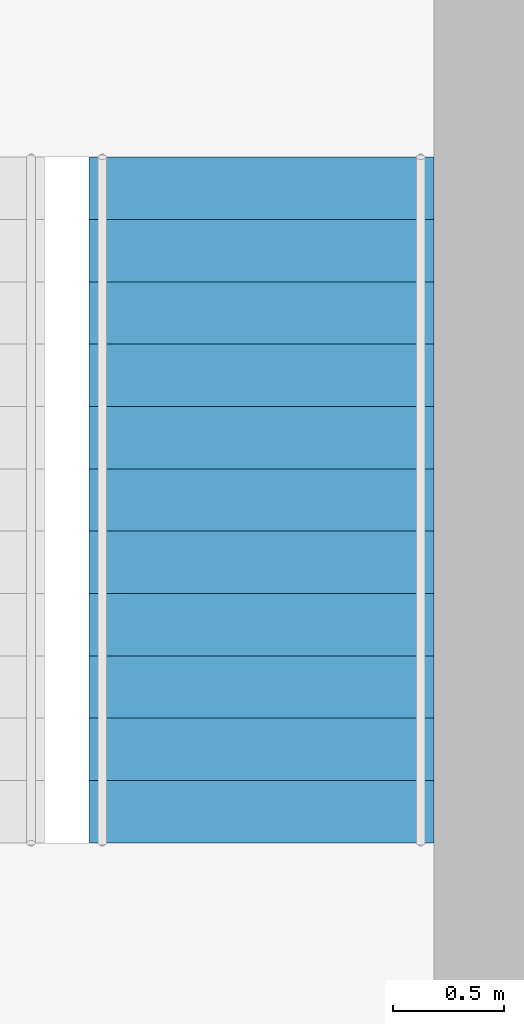
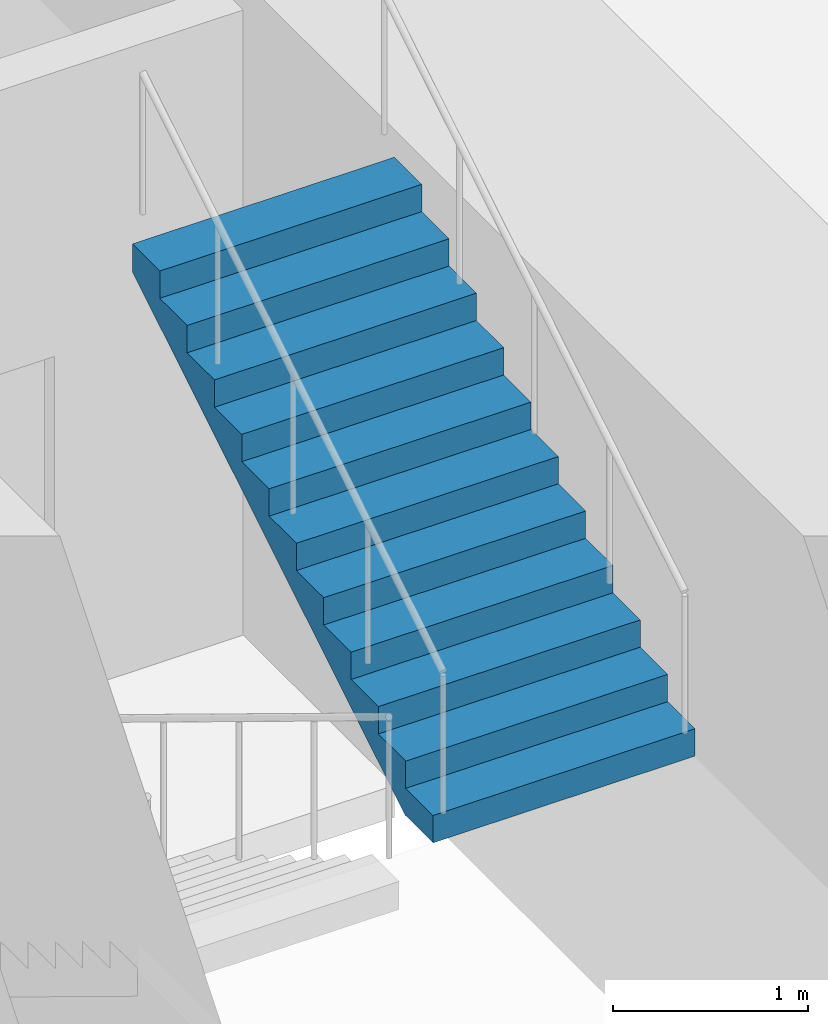
# One storey, part 12 of 13: 1 stair flight, 1 element without a shape of its own.
"""IFC4 building model written with IfcOpenShell, lengths in metres."""

import ifcopenshell
import ifcopenshell.guid

model = None  # the IFC model being written
_history = None  # IfcOwnerHistory: only IFC2X3 demands one
_inside = {}  # id of a spatial element -> (the spatial element, [elements in it])
_under = {}  # id of a project, library or spatial element -> (it, [spatial elements below it])
_declared = {}  # id of a project -> (the project, [libraries it declares])
_typed = {}  # id of a type object -> (the type object, [elements of that type])
_made_of = {}  # id of a material, layer set ... -> (it, [elements and type objects made of it])


def new_model(schema):
    """Start an empty IFC model of exactly this schema.

    Asked for "IFC4X3", IfcOpenShell would pick the latest addendum, in which some entities
    have other attributes; the version numbers below select the first issue.
    IFC2X3 requires an IfcOwnerHistory on every rooted entity: one is made here for all.
    """
    global model, _history
    if schema == "IFC4X3":
        model = ifcopenshell.file(schema_version=(4, 3, 0, 0))
    else:
        model = ifcopenshell.file(schema=schema)
    _inside.clear()
    _under.clear()
    _declared.clear()
    _typed.clear()
    _made_of.clear()
    _history = None
    if model.schema == "IFC2X3":
        org = make("IfcOrganization", Name="unknown")
        user = make(
            "IfcPersonAndOrganization",
            ThePerson=make("IfcPerson", FamilyName="unknown"),
            TheOrganization=org,
        )
        app = make(
            "IfcApplication",
            ApplicationDeveloper=org,
            Version="unknown",
            ApplicationFullName="unknown",
            ApplicationIdentifier="unknown",
        )
        _history = make(
            "IfcOwnerHistory",
            OwningUser=user,
            OwningApplication=app,
            ChangeAction="ADDED",
            CreationDate=0,
        )
    return model


def make(cls, **values):
    """One entity of the class cls with the attributes given. An attribute that is None is left unset."""
    return model.create_entity(
        cls, **{name: value for name, value in values.items() if value is not None}
    )


def rooted(cls, **values):
    """An entity with a GlobalId (a new one), such as an element, a storey or a relation."""
    return make(cls, GlobalId=ifcopenshell.guid.new(), OwnerHistory=_history, **values)


def si_unit(unit_type, name, prefix=None):
    """IfcSIUnit, for example si_unit("LENGTHUNIT", "METRE", prefix="MILLI")."""
    return make("IfcSIUnit", UnitType=unit_type, Prefix=prefix, Name=name)


def assignment(units):
    """IfcUnitAssignment: the units of a project."""
    return None if units is None else make("IfcUnitAssignment", Units=units)


def point(xyz):
    """IfcCartesianPoint."""
    return None if xyz is None else make("IfcCartesianPoint", Coordinates=xyz)


def direction(xyz):
    """IfcDirection."""
    return None if xyz is None else make("IfcDirection", DirectionRatios=xyz)


def frame(location, z_axis=None, x_axis=None):
    """IfcAxis2Placement3D, a coordinate frame: its origin and axes. An axis left out is left unset."""
    return make(
        "IfcAxis2Placement3D",
        Location=point(location),
        Axis=direction(z_axis),
        RefDirection=direction(x_axis),
    )


def origin():
    """The frame at (0, 0, 0) with its axes left unset."""
    return frame((0.0, 0.0, 0.0))


def place(relative_to, where):
    """IfcLocalPlacement: puts the frame where relative to a parent placement (None: the world)."""
    return make(
        "IfcLocalPlacement", PlacementRelTo=relative_to, RelativePlacement=where
    )


def context(
    kind, dimensions, precision=None, world=None, true_north=None, identifier=None
):
    """IfcGeometricRepresentationContext, for example the 3D "Model" context."""
    return make(
        "IfcGeometricRepresentationContext",
        ContextIdentifier=identifier,
        ContextType=kind,
        CoordinateSpaceDimension=dimensions,
        Precision=precision,
        WorldCoordinateSystem=world,
        TrueNorth=true_north,
    )


def subcontext(parent, identifier, kind, view, scale=None):
    """IfcGeometricRepresentationSubContext, for example "Body" below "Model"."""
    return make(
        "IfcGeometricRepresentationSubContext",
        ContextIdentifier=identifier,
        ContextType=kind,
        ParentContext=parent,
        TargetScale=scale,
        TargetView=view,
    )


def project(units=None, contexts=None):
    """IfcProject with its units and contexts."""
    return rooted(
        "IfcProject",
        Name="project",
        RepresentationContexts=contexts,
        UnitsInContext=assignment(units),
    )


def spatial(cls, under=None, at=None, **own):
    """A site, building, storey or space (cls), placed at a placement, below another one or the project."""
    s = rooted(cls, ObjectPlacement=at, **own)
    if under is not None:
        _under.setdefault(under.id(), (under, []))[1].append(s)
    return s


def polyline(points):
    """IfcPolyline through the points."""
    return make("IfcPolyline", Points=[point(p) for p in points])


def outline(outer, holes=None, kind="AREA"):
    """IfcArbitraryClosedProfileDef: a profile drawn as a closed curve; with holes, ...WithVoids."""
    if holes is None:
        return make("IfcArbitraryClosedProfileDef", ProfileType=kind, OuterCurve=outer)
    return make(
        "IfcArbitraryProfileDefWithVoids",
        ProfileType=kind,
        OuterCurve=outer,
        InnerCurves=holes,
    )


def extrude(swept, where, along, depth):
    """IfcExtrudedAreaSolid: the profile swept, set in the frame where, extruded along a direction by depth."""
    return make(
        "IfcExtrudedAreaSolid",
        SweptArea=swept,
        Position=where,
        ExtrudedDirection=direction(along),
        Depth=depth,
    )


def shape(context_of_items, identifier, shape_type, items):
    """IfcShapeRepresentation: the items that make up one representation, for example the "Body"."""
    return make(
        "IfcShapeRepresentation",
        ContextOfItems=context_of_items,
        RepresentationIdentifier=identifier,
        RepresentationType=shape_type,
        Items=items,
    )


def material(Name=None, Category=None):
    """IfcMaterial."""
    return make("IfcMaterial", Name=Name, Category=Category)


def made_of(thing, what):
    """Note that an element or type object is made of a material, layer set ...; save() writes the relation."""
    if what is not None:
        _made_of.setdefault(what.id(), (what, []))[1].append(thing)
    return thing


def type_object(cls, material=None, **own):
    """A type object (cls), such as IfcWallType, which elements share."""
    return made_of(rooted(cls, **own), material)


def element(
    cls,
    number,
    at=None,
    inside=None,
    cuts=None,
    type_object=None,
    material=None,
    context=None,
    identifier="Body",
    shape_type=None,
    held_by="IfcProductDefinitionShape",
    body=None,
    shapes=None,
    **own,
):
    """One element of the class cls, such as IfcWall. Its Tag is "e" and its number.

    at: its placement. inside: the storey or other place that contains it. cuts: it is an
    opening in that element (IfcRelVoidsElement). A single representation is given by context,
    identifier, shape_type and body (its items); several are given by shapes. held_by: the class
    of the entity that holds the representations. save() writes the other relations.
    """
    e = rooted(cls, Tag="e%d" % number, ObjectPlacement=at, **own)
    if body is not None:
        shapes = [shape(context, identifier, shape_type, body)]
    if shapes is not None:
        e.Representation = make(held_by, Representations=shapes)
    if inside is not None:
        _inside.setdefault(inside.id(), (inside, []))[1].append(e)
    if cuts is not None:
        rooted(
            "IfcRelVoidsElement", RelatingBuildingElement=cuts, RelatedOpeningElement=e
        )
    if type_object is not None:
        _typed.setdefault(type_object.id(), (type_object, []))[1].append(e)
    return made_of(e, material)


def aggregate(whole, parts):
    """IfcRelAggregates: a whole, such as a stair, and the parts it consists of."""
    return rooted("IfcRelAggregates", RelatingObject=whole, RelatedObjects=parts)


def save(model, path):
    """Write the relations noted so far, then the file.

    IfcRelAggregates (storeys below a building ...), IfcRelContainedInSpatialStructure (elements
    in a storey), IfcRelDefinesByType, IfcRelAssociatesMaterial and IfcRelDeclares: one each for
    every whole, place, type object, material and project.
    """
    for whole, parts in _under.values():
        aggregate(whole, parts)
    for where, things in _inside.values():
        rooted(
            "IfcRelContainedInSpatialStructure",
            RelatedElements=things,
            RelatingStructure=where,
        )
    for kind, things in _typed.values():
        rooted("IfcRelDefinesByType", RelatedObjects=things, RelatingType=kind)
    for what, things in _made_of.values():
        rooted("IfcRelAssociatesMaterial", RelatedObjects=things, RelatingMaterial=what)
    for by, libraries in _declared.values():
        rooted("IfcRelDeclares", RelatingContext=by, RelatedDefinitions=libraries)
    model.write(path)


model = new_model("IFC4")

# Units and contexts
model_context = context("Model", 3, precision=1e-05, world=origin(), true_north=direction((0.0, 1.0)))
body_context = subcontext(model_context, "Body", "Model", "MODEL_VIEW")
ifc_project = project(units=[si_unit("LENGTHUNIT", "METRE"), si_unit("AREAUNIT", "SQUARE_METRE"), si_unit("VOLUMEUNIT", "CUBIC_METRE"), si_unit("PLANEANGLEUNIT", "RADIAN"), si_unit("MASSUNIT", "GRAM", prefix="KILO")], contexts=[model_context])

# Site, building, storey
site_placement = place(None, origin())
site = spatial("IfcSite", under=ifc_project, at=site_placement, CompositionType="ELEMENT")
building_placement = place(site_placement, origin())
building = spatial("IfcBuilding", under=site, at=building_placement, Name="Trevanion Tower", CompositionType="ELEMENT")
storey_placement = place(building_placement, frame((0.0, 0.0, 85.699951171875)))
storey = spatial("IfcBuildingStorey", under=building, at=storey_placement, Name="L20", CompositionType="ELEMENT", Elevation=85.699951171875)

# Stair, stair flight
ifc_material_1 = material(Name="Concrete 5,000 psi on steel stringers", Category="concrete")
stair_type = type_object("IfcStairType", Name="ST stair", PredefinedType="HALF_TURN_STAIR", material=ifc_material_1)
stair_placement = place(storey_placement, origin())
stair = element("IfcStair", 1, at=stair_placement, inside=storey, type_object=stair_type, Name="ST1 L20", PredefinedType="HALF_TURN_STAIR")
ifc_material_2 = material(Name="Concrete 5,000 psi in steel pan", Category="concrete")
stair_flight_type = type_object("IfcStairFlightType", Name="STF stair flight", PredefinedType="STRAIGHT", material=ifc_material_2)
stair_flight_placement = place(storey_placement, frame((9.47509765625, -1.554931640625, 2.050048828125), z_axis=(0.0, 0.0, 1.0), x_axis=(0.0, 1.0, 0.0)))
stair_flight = element("IfcStairFlight", 2, at=stair_flight_placement, type_object=stair_flight_type, Name="ST1 flight 2", NumberOfRisers=12, NumberOfTreads=11, PredefinedType="STRAIGHT", RiserHeight=0.170833333, TreadLength=0.28, context=body_context, shape_type="SweptSolid", body=[
    extrude(outline(polyline([(0.0, 0.0), (0.0, 0.1708984375), (0.280029296875, 0.1708984375), (0.280029296875, 0.341552734375), (0.56005859375, 0.341552734375), (0.56005859375, 0.512451171875), (0.840087890625, 0.512451171875), (0.840087890625, 0.683349609375), (1.1201171875, 0.683349609375), (1.1201171875, 0.854248046875), (1.39990234375, 0.854248046875), (1.39990234375, 1.02490234375), (1.679931640625, 1.02490234375), (1.679931640625, 1.19580078125), (1.9599609375, 1.19580078125), (1.9599609375, 1.36669921875), (2.239990234375, 1.36669921875), (2.239990234375, 1.53759765625), (2.52001953125, 1.53759765625), (2.52001953125, 1.708251953125), (2.800048828125, 1.708251953125), (2.800048828125, 1.879150390625), (3.080078125, 1.879150390625), (3.080078125, 2.050048828125), (3.080078125, 1.70361328125), (0.287841796875, 0.0), (0.0, 0.0)])), frame((0.0, 0.77490234375, 0.0), z_axis=(0.0, -1.0, 0.0), x_axis=(1.0, 0.0, 0.0)), (0.0, 0.0, 1.0), 1.550048828125),
])
aggregate(stair, [stair_flight])

save(model, "model.ifc")
